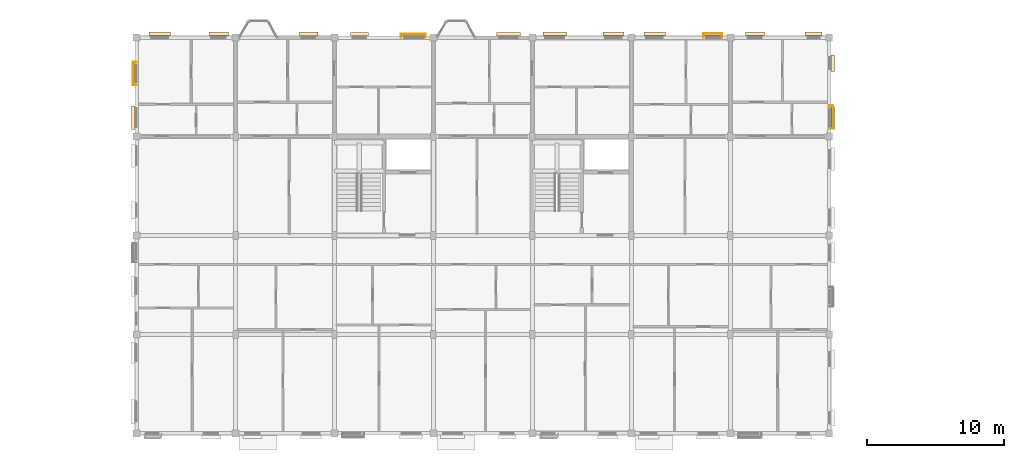
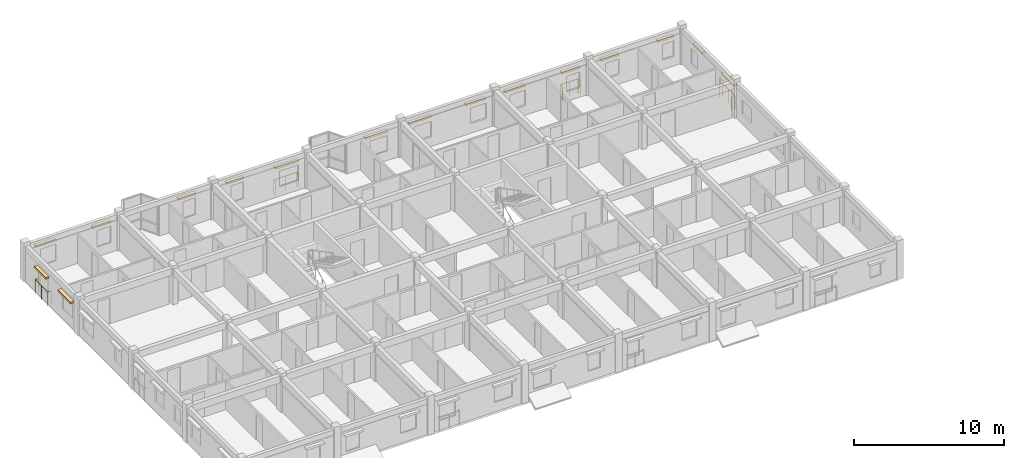
# One storey, part 38 of 38: 16 coverings, 4 railings.
"""IFC4 building model written with IfcOpenShell, lengths in metres."""

from ifc_helpers import new_model, si_unit, direction, frame, origin, origin_2d, place, context, subcontext, project, spatial, rectangle, circle, extrude, material, layer, layer_set, type_object, element, save


model = new_model("IFC4")

# Units and contexts
model_context = context("Model", 3, precision=1e-05, world=origin(), true_north=direction((0.0, 1.0)))
body_context = subcontext(model_context, "Body", "Model", "MODEL_VIEW")
ifc_project = project(units=[si_unit("LENGTHUNIT", "METRE"), si_unit("AREAUNIT", "SQUARE_METRE"), si_unit("VOLUMEUNIT", "CUBIC_METRE"), si_unit("PLANEANGLEUNIT", "RADIAN"), si_unit("MASSUNIT", "GRAM", prefix="KILO"), si_unit("THERMODYNAMICTEMPERATUREUNIT", "KELVIN"), si_unit("POWERUNIT", "WATT")], contexts=[model_context])

# Site, building, storey
site_placement = place(None, origin())
site = spatial("IfcSite", under=ifc_project, at=site_placement, CompositionType="ELEMENT")
building_placement = place(site_placement, origin())
building = spatial("IfcBuilding", under=site, at=building_placement, Name="Tavuni Mirador Residences", CompositionType="ELEMENT")
storey_placement = place(building_placement, frame((0.0, 0.0, 32.85009765625)))
storey = spatial("IfcBuildingStorey", under=building, at=storey_placement, Name="L10", CompositionType="ELEMENT", Elevation=32.85009765625)

# Coverings
ifc_material_1 = material(Name="Natural coral limestone", Category="masonry")
ifc_layer = layer(ifc_material_1, 0.054931640625, Name="Natural coral limestone", Category="masonry")
ifc_layer_set = layer_set([ifc_layer], Name="Natural coral limestone")
covering_type = type_object("IfcCoveringType", Name="CVT-CLAD-CORAL", PredefinedType="CLADDING", material=ifc_layer_set)
covering_1_placement = place(storey_placement, frame((61.444580078125, 166.9599609375, 1.954833984375), z_axis=(0.0, 0.0, 1.0), x_axis=(0.0, 1.0, 0.0)))
element("IfcCovering", 1, at=covering_1_placement, inside=storey, type_object=covering_type, Name="HOOD-0776", PredefinedType="CLADDING", context=body_context, shape_type="SweptSolid", body=[
    extrude(rectangle(XDim=1.659912109375, YDim=0.25, at=origin_2d()), origin(), (0.0, 0.0, 1.0), 0.14990234375),
])
for number, where, z_axis, x_axis, name in (
    (2, (61.444580078125, 170.93994140625, 2.06494140625), (0.0, 0.0, 1.0), (0.0, 1.0, 0.0), "HOOD-0777"),
    (3, (60.06005859375, 173.074462890625, 2.06494140625), (0.0, 0.0, 1.0), (-1.0, 0.0, 0.0), "HOOD-0778"),
):
    element("IfcCovering", number, at=place(storey_placement, frame(where, z_axis=z_axis, x_axis=x_axis)), inside=storey, type_object=covering_type, Name=name, PredefinedType="CLADDING", context=body_context, shape_type="SweptSolid", body=[
        extrude(rectangle(XDim=1.219970703125, YDim=0.25, at=origin_2d()), origin(), (0.0, 0.0, 1.0), 0.14990234375),
    ])
for number, where, z_axis, x_axis, name in (
    (4, (55.780029296875, 173.074462890625, 2.06494140625), (0.0, 0.0, 1.0), (-1.0, 0.0, 0.0), "HOOD-0779"),
    (5, (52.780029296875, 173.07958984375, 2.06494140625), (0.0, 0.0, 1.0), (-1.0, 0.0, 0.0), "HOOD-0780"),
):
    element("IfcCovering", number, at=place(storey_placement, frame(where, z_axis=z_axis, x_axis=x_axis)), inside=storey, type_object=covering_type, Name=name, PredefinedType="CLADDING", context=body_context, shape_type="SweptSolid", body=[
        extrude(rectangle(XDim=1.3798828125, YDim=0.25, at=origin_2d()), origin(), (0.0, 0.0, 1.0), 0.14990234375),
    ])
for number, where, z_axis, x_axis, name in (
    (6, (48.5, 173.07958984375, 2.06494140625), (0.0, 0.0, 1.0), (-1.0, 0.0, 0.0), "HOOD-0781"),
    (7, (45.5, 173.0869140625, 2.06494140625), (0.0, 0.0, 1.0), (-1.0, 0.0, 0.0), "HOOD-0782"),
):
    element("IfcCovering", number, at=place(storey_placement, frame(where, z_axis=z_axis, x_axis=x_axis)), inside=storey, type_object=covering_type, Name=name, PredefinedType="CLADDING", context=body_context, shape_type="SweptSolid", body=[
        extrude(rectangle(XDim=1.5400390625, YDim=0.25, at=origin_2d()), origin(), (0.0, 0.0, 1.0), 0.14990234375),
    ])
covering_2_placement = place(storey_placement, frame((41.219970703125, 173.0869140625, 2.06494140625), z_axis=(0.0, 0.0, 1.0), x_axis=(-1.0, 0.0, 0.0)))
element("IfcCovering", 8, at=covering_2_placement, inside=storey, type_object=covering_type, Name="HOOD-0783", PredefinedType="CLADDING", context=body_context, shape_type="SweptSolid", body=[
    extrude(rectangle(XDim=1.699951171875, YDim=0.25, at=origin_2d()), origin(), (0.0, 0.0, 1.0), 0.14990234375),
])
covering_3_placement = place(storey_placement, frame((37.860107421875, 173.049560546875, 2.06005859375), z_axis=(0.0, 0.0, 1.0), x_axis=(-1.0, 0.0, 0.0)))
element("IfcCovering", 9, at=covering_3_placement, inside=storey, type_object=covering_type, Name="HOOD-0784", PredefinedType="CLADDING", context=body_context, shape_type="SweptSolid", body=[
    extrude(rectangle(XDim=1.719970703125, YDim=0.260009765625, at=origin_2d()), origin(), (0.0, 0.0, 1.0), 0.159912109375),
])
covering_4_placement = place(storey_placement, frame((30.97998046875, 173.049560546875, 2.06494140625), z_axis=(0.0, 0.0, 1.0), x_axis=(-1.0, 0.0, 0.0)))
element("IfcCovering", 10, at=covering_4_placement, inside=storey, type_object=covering_type, Name="HOOD-0785", PredefinedType="CLADDING", context=body_context, shape_type="SweptSolid", body=[
    extrude(rectangle(XDim=1.780029296875, YDim=0.25, at=origin_2d()), origin(), (0.0, 0.0, 1.0), 0.14990234375),
])
covering_5_placement = place(storey_placement, frame((27.010009765625, 173.049560546875, 2.1650390625), z_axis=(0.0, 0.0, 1.0), x_axis=(-1.0, 0.0, 0.0)))
element("IfcCovering", 11, at=covering_5_placement, inside=storey, type_object=covering_type, Name="HOOD-0786", PredefinedType="CLADDING", context=body_context, shape_type="SweptSolid", body=[
    extrude(rectangle(XDim=1.320068359375, YDim=0.25, at=origin_2d()), origin(), (0.0, 0.0, 1.0), 0.14990234375),
])
covering_6_placement = place(storey_placement, frame((23.320068359375, 173.064453125, 2.16015625), z_axis=(0.0, 0.0, 1.0), x_axis=(-1.0, 0.0, 0.0)))
element("IfcCovering", 12, at=covering_6_placement, inside=storey, type_object=covering_type, Name="HOOD-0787", PredefinedType="CLADDING", context=body_context, shape_type="SweptSolid", body=[
    extrude(rectangle(XDim=1.340087890625, YDim=0.260009765625, at=origin_2d()), origin(), (0.0, 0.0, 1.0), 0.159912109375),
])
covering_7_placement = place(storey_placement, frame((16.77001953125, 173.06689453125, 2.1650390625), z_axis=(0.0, 0.0, 1.0), x_axis=(-1.0, 0.0, 0.0)))
element("IfcCovering", 13, at=covering_7_placement, inside=storey, type_object=covering_type, Name="HOOD-0788", PredefinedType="CLADDING", context=body_context, shape_type="SweptSolid", body=[
    extrude(rectangle(XDim=1.39990234375, YDim=0.25, at=origin_2d()), origin(), (0.0, 0.0, 1.0), 0.14990234375),
])
for number, where, z_axis, x_axis, name in (
    (14, (12.489990234375, 173.06689453125, 2.1650390625), (0.0, 0.0, 1.0), (-1.0, 0.0, 0.0), "HOOD-0789"),
    (15, (10.555419921875, 170.175048828125, 2.1650390625), (0.0, 0.0, 1.0), (0.0, -1.0, 0.0), "HOOD-0790"),
):
    element("IfcCovering", number, at=place(storey_placement, frame(where, z_axis=z_axis, x_axis=x_axis)), inside=storey, type_object=covering_type, Name=name, PredefinedType="CLADDING", context=body_context, shape_type="SweptSolid", body=[
        extrude(rectangle(XDim=1.56005859375, YDim=0.25, at=origin_2d()), origin(), (0.0, 0.0, 1.0), 0.14990234375),
    ])
covering_8_placement = place(storey_placement, frame((10.555419921875, 166.965087890625, 2.1650390625), z_axis=(0.0, 0.0, 1.0), x_axis=(0.0, -1.0, 0.0)))
element("IfcCovering", 16, at=covering_8_placement, inside=storey, type_object=covering_type, Name="HOOD-0791", PredefinedType="CLADDING", context=body_context, shape_type="SweptSolid", body=[
    extrude(rectangle(XDim=1.719970703125, YDim=0.25, at=origin_2d()), origin(), (0.0, 0.0, 1.0), 0.14990234375),
])

# Railings
ifc_material_2 = material(Name="Structural steel S355", Category="steel")
railing_type = type_object("IfcRailingType", Name="RT-BL1150", PredefinedType="BALUSTRADE", material=ifc_material_2)
railing_1_placement = place(storey_placement, frame((61.199951171875, 166.199951171875, 0.039794921875)))
element("IfcRailing", 17, at=railing_1_placement, inside=storey, type_object=railing_type, Name="BALC-BLK-C-L10-E03", PredefinedType="BALUSTRADE", context=body_context, shape_type="SweptSolid", body=[
    extrude(circle(Radius=0.02392578125, at=origin_2d()), frame((0.0, 0.0, 1.1259765625), z_axis=(1.0, 0.0, 0.0), x_axis=(0.0, 1.0, 0.0)), (0.0, 0.0, 1.0), 0.262451171875),
    extrude(circle(Radius=0.02392578125, at=origin_2d()), frame((0.262451171875, 0.0, 1.1259765625), z_axis=(0.0, 1.0, 0.0), x_axis=(-1.0, 0.0, 0.0)), (0.0, 0.0, 1.0), 1.64013671875),
    extrude(circle(Radius=0.02392578125, at=origin_2d()), frame((0.262451171875, 1.64013671875, 1.1259765625), z_axis=(-1.0, 0.0, 0.0), x_axis=(0.0, -1.0, 0.0)), (0.0, 0.0, 1.0), 0.262451171875),
    extrude(circle(Radius=0.02099609375, at=origin_2d()), origin(), (0.0, 0.0, 1.0), 1.101806640625),
    extrude(circle(Radius=0.02099609375, at=origin_2d()), frame((0.262451171875, 0.0, 0.0)), (0.0, 0.0, 1.0), 1.101806640625),
    extrude(circle(Radius=0.02099609375, at=origin_2d()), frame((0.262451171875, 0.820068359375, 0.0)), (0.0, 0.0, 1.0), 1.101806640625),
    extrude(circle(Radius=0.02099609375, at=origin_2d()), frame((0.262451171875, 1.64013671875, 0.0)), (0.0, 0.0, 1.0), 1.101806640625),
    extrude(circle(Radius=0.02099609375, at=origin_2d()), frame((0.0, 1.64013671875, 0.0)), (0.0, 0.0, 1.0), 1.101806640625),
])
railing_2_placement = place(storey_placement, frame((53.39990234375, 172.800048828125, 0.039794921875)))
element("IfcRailing", 18, at=railing_2_placement, inside=storey, type_object=railing_type, Name="BALC-BLK-C-L10-N05", PredefinedType="BALUSTRADE", context=body_context, shape_type="SweptSolid", body=[
    extrude(circle(Radius=0.02392578125, at=origin_2d()), frame((0.0, 0.0, 1.1259765625), z_axis=(0.0, 1.0, 0.0), x_axis=(-1.0, 0.0, 0.0)), (0.0, 0.0, 1.0), 0.29736328125),
    extrude(circle(Radius=0.02392578125, at=origin_2d()), frame((0.0, 0.29736328125, 1.1259765625), z_axis=(-1.0, 0.0, 0.0), x_axis=(0.0, -1.0, 0.0)), (0.0, 0.0, 1.0), 1.35986328125),
    extrude(circle(Radius=0.02392578125, at=origin_2d()), frame((-1.35986328125, 0.29736328125, 1.1259765625), z_axis=(0.0, -1.0, 0.0), x_axis=(1.0, 0.0, 0.0)), (0.0, 0.0, 1.0), 0.29736328125),
    extrude(circle(Radius=0.02099609375, at=origin_2d()), origin(), (0.0, 0.0, 1.0), 1.101806640625),
    extrude(circle(Radius=0.02099609375, at=origin_2d()), frame((0.0, 0.29736328125, 0.0)), (0.0, 0.0, 1.0), 1.101806640625),
    extrude(circle(Radius=0.02099609375, at=origin_2d()), frame((-0.679931640625, 0.29736328125, 0.0)), (0.0, 0.0, 1.0), 1.101806640625),
    extrude(circle(Radius=0.02099609375, at=origin_2d()), frame((-1.35986328125, 0.29736328125, 0.0)), (0.0, 0.0, 1.0), 1.101806640625),
    extrude(circle(Radius=0.02099609375, at=origin_2d()), frame((-1.35986328125, 0.0, 0.0)), (0.0, 0.0, 1.0), 1.101806640625),
])
railing_3_placement = place(storey_placement, frame((31.800048828125, 172.800048828125, 0.039794921875)))
element("IfcRailing", 19, at=railing_3_placement, inside=storey, type_object=railing_type, Name="BALC-BLK-C-L10-N02", PredefinedType="BALUSTRADE", context=body_context, shape_type="SweptSolid", body=[
    extrude(circle(Radius=0.02392578125, at=origin_2d()), frame((0.0, 0.0, 1.1259765625), z_axis=(0.0, 1.0, 0.0), x_axis=(-1.0, 0.0, 0.0)), (0.0, 0.0, 1.0), 0.267333984375),
    extrude(circle(Radius=0.02392578125, at=origin_2d()), frame((0.0, 0.267333984375, 1.1259765625), z_axis=(-1.0, 0.0, 0.0), x_axis=(0.0, -1.0, 0.0)), (0.0, 0.0, 1.0), 1.760009765625),
    extrude(circle(Radius=0.02392578125, at=origin_2d()), frame((-1.760009765625, 0.267333984375, 1.1259765625), z_axis=(0.0, -1.0, 0.0), x_axis=(1.0, 0.0, 0.0)), (0.0, 0.0, 1.0), 0.267333984375),
    extrude(circle(Radius=0.02099609375, at=origin_2d()), origin(), (0.0, 0.0, 1.0), 1.101806640625),
    extrude(circle(Radius=0.02099609375, at=origin_2d()), frame((0.0, 0.267333984375, 0.0)), (0.0, 0.0, 1.0), 1.101806640625),
    extrude(circle(Radius=0.02099609375, at=origin_2d()), frame((-0.8798828125, 0.267333984375, 0.0)), (0.0, 0.0, 1.0), 1.101806640625),
    extrude(circle(Radius=0.02099609375, at=origin_2d()), frame((-1.760009765625, 0.267333984375, 0.0)), (0.0, 0.0, 1.0), 1.101806640625),
    extrude(circle(Radius=0.02099609375, at=origin_2d()), frame((-1.760009765625, 0.0, 0.0)), (0.0, 0.0, 1.0), 1.101806640625),
])
railing_4_placement = place(storey_placement, frame((10.800048828125, 171.0048828125, 0.039794921875)))
element("IfcRailing", 20, at=railing_4_placement, inside=storey, type_object=railing_type, Name="BALC-BLK-C-L10-W03", PredefinedType="BALUSTRADE", context=body_context, shape_type="SweptSolid", body=[
    extrude(circle(Radius=0.02392578125, at=origin_2d()), frame((0.0, 0.0, 1.1259765625), z_axis=(-1.0, 0.0, 0.0), x_axis=(0.0, -1.0, 0.0)), (0.0, 0.0, 1.0), 0.262451171875),
    extrude(circle(Radius=0.02392578125, at=origin_2d()), frame((-0.262451171875, 0.0, 1.1259765625), z_axis=(0.0, -1.0, 0.0), x_axis=(1.0, 0.0, 0.0)), (0.0, 0.0, 1.0), 1.659912109375),
    extrude(circle(Radius=0.02392578125, at=origin_2d()), frame((-0.262451171875, -1.659912109375, 1.1259765625), z_axis=(1.0, 0.0, 0.0), x_axis=(0.0, 1.0, 0.0)), (0.0, 0.0, 1.0), 0.262451171875),
    extrude(circle(Radius=0.02099609375, at=origin_2d()), origin(), (0.0, 0.0, 1.0), 1.101806640625),
    extrude(circle(Radius=0.02099609375, at=origin_2d()), frame((-0.262451171875, 0.0, 0.0)), (0.0, 0.0, 1.0), 1.101806640625),
    extrude(circle(Radius=0.02099609375, at=origin_2d()), frame((-0.262451171875, -0.830078125, 0.0)), (0.0, 0.0, 1.0), 1.101806640625),
    extrude(circle(Radius=0.02099609375, at=origin_2d()), frame((-0.262451171875, -1.659912109375, 0.0)), (0.0, 0.0, 1.0), 1.101806640625),
    extrude(circle(Radius=0.02099609375, at=origin_2d()), frame((0.0, -1.659912109375, 0.0)), (0.0, 0.0, 1.0), 1.101806640625),
])

save(model, "model.ifc")
